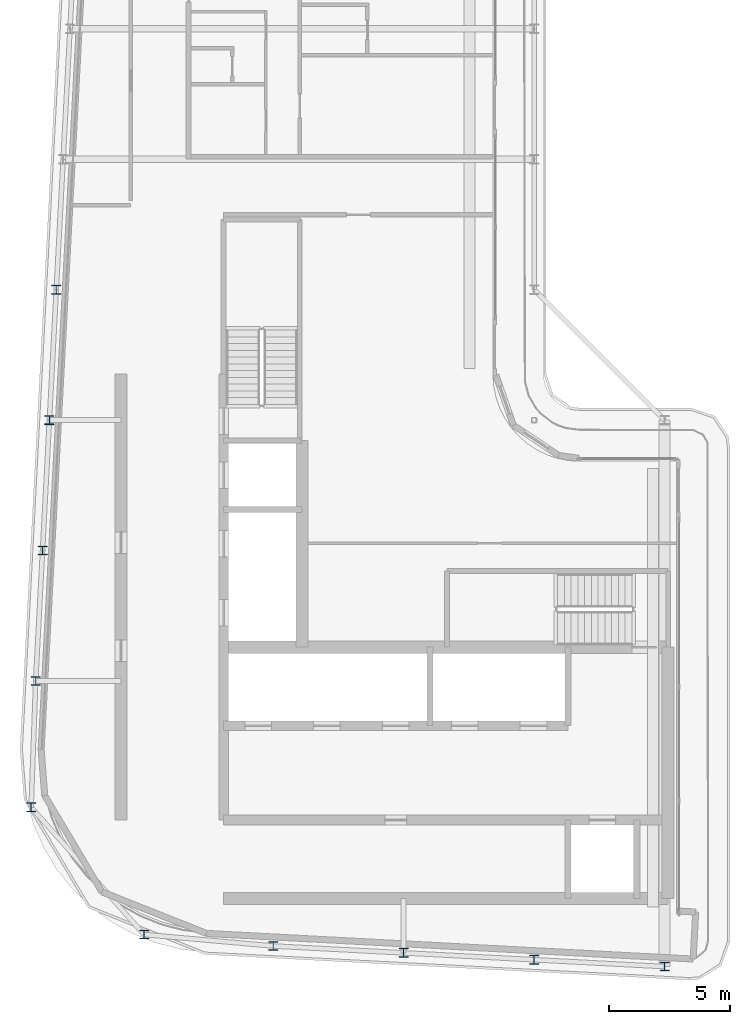
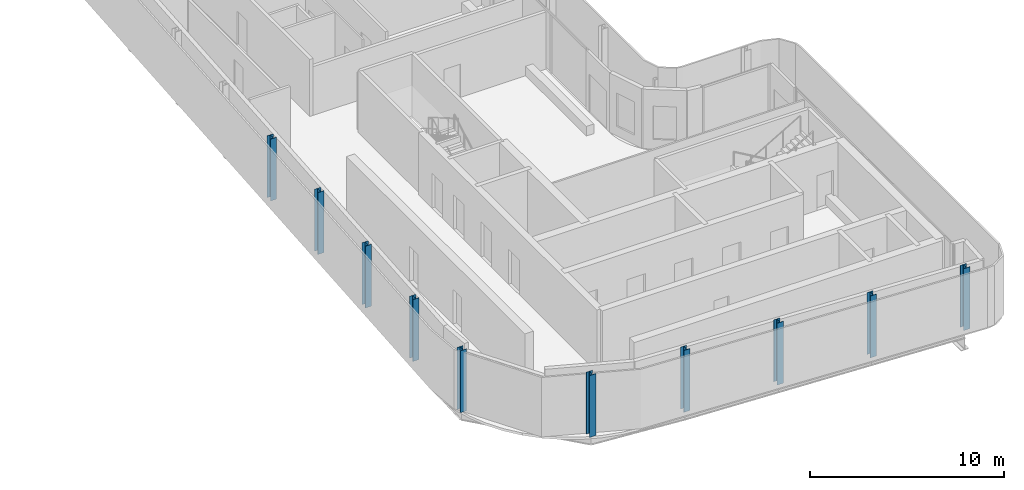
# One storey, part 1 of 17: 10 columns.
"""IFC4 building model written with IfcOpenShell, lengths in metres."""

from ifc_helpers import new_model, si_unit, direction, frame, origin, origin_2d, place, context, subcontext, project, spatial, i_section, extrude, material, material_profile, profile_set, type_object, element, save


model = new_model("IFC4")

# Units and contexts
model_context = context("Model", 3, precision=1e-05, world=origin(), true_north=direction((0.0, 1.0)))
body_context = subcontext(model_context, "Body", "Model", "MODEL_VIEW")
ifc_project = project(units=[si_unit("LENGTHUNIT", "METRE"), si_unit("AREAUNIT", "SQUARE_METRE"), si_unit("VOLUMEUNIT", "CUBIC_METRE"), si_unit("PLANEANGLEUNIT", "RADIAN"), si_unit("MASSUNIT", "GRAM", prefix="KILO")], contexts=[model_context])

# Site, building, storey
site_placement = place(None, origin())
site = spatial("IfcSite", under=ifc_project, at=site_placement, CompositionType="ELEMENT")
building_placement = place(site_placement, origin())
building = spatial("IfcBuilding", under=site, at=building_placement, Name="Kheshtan School and Residences Tower", CompositionType="ELEMENT")
storey_placement = place(building_placement, frame((0.0, 0.0, 346.10009765625)))
storey = spatial("IfcBuildingStorey", under=building, at=storey_placement, Name="L81", CompositionType="ELEMENT", Elevation=346.10009765625)

# Columns
ifc_material = material(Name="Steel ASTM A992 Grade 50", Category="steel")
ifc_material_profile = material_profile(ifc_material, i_section(OverallWidth=0.37109375, OverallDepth=0.364013671875, WebThickness=0.01318359375, FlangeThickness=0.021728515625, FilletRadius=0.010986328125, at=origin_2d()), Name="W360x162")
ifc_profile_set = profile_set([ifc_material_profile], Name="Steel ASTM A992 Grade 50")
column_type = type_object("IfcColumnType", Name="Column C6 W360x162 ASTM A992 Grade 50", PredefinedType="COLUMN", material=ifc_profile_set)
for number, where, z_axis, x_axis, name in (
    (1, (53.0, 22.97998046875, 0.0), (0.0, 0.0, 1.0), (1.0, 0.0, 0.0), "Column C019"),
    (2, (47.60009765625, 23.263916015625, 0.0), (0.0, 0.0, 1.0), (1.0, 0.0, 0.0), "Column C020"),
    (3, (42.199951171875, 23.548095703125, 0.0), (0.0, 0.0, 1.0), (1.0, 0.0, 0.0), "Column C021"),
    (4, (36.800048828125, 23.83203125, 0.0), (0.0, 0.0, 1.0), (1.0, 0.0, 0.0), "Column C022"),
    (5, (31.4541015625, 24.30810546875, 0.0), (0.0, 0.0, 1.0), (1.0, 0.0, 0.0), "Column C033"),
    (6, (26.781005859375, 29.575927734375, 0.0), (0.0, 0.0, 1.0), (1.0, 0.0, 0.0), "Column C046"),
    (7, (26.968994140625, 34.800048828125, 0.0), (0.0, 0.0, 1.0), (1.0, 0.0, 0.0), "Column C052"),
    (8, (27.2529296875, 40.199951171875, 0.0), (0.0, 0.0, 1.0), (1.0, 0.0, 0.0), "Column C056"),
    (9, (27.537109375, 45.60009765625, 0.0), (0.0, 0.0, 1.0), (1.0, 0.0, 0.0), "Column C059"),
    (10, (27.822021484375, 51.0, 0.0), (0.0, 0.0, 1.0), (1.0, 0.0, 0.0), "Column C078"),
):
    element("IfcColumn", number, at=place(storey_placement, frame(where, z_axis=z_axis, x_axis=x_axis)), inside=storey, type_object=column_type, Name=name, PredefinedType="COLUMN", context=body_context, shape_type="SweptSolid", body=[
        extrude(i_section(OverallWidth=0.37109375, OverallDepth=0.364013671875, WebThickness=0.01318359375, FlangeThickness=0.021728515625, FilletRadius=0.010986328125, at=origin_2d()), origin(), (0.0, 0.0, 1.0), 3.89990234375),
    ])

save(model, "model.ifc")
